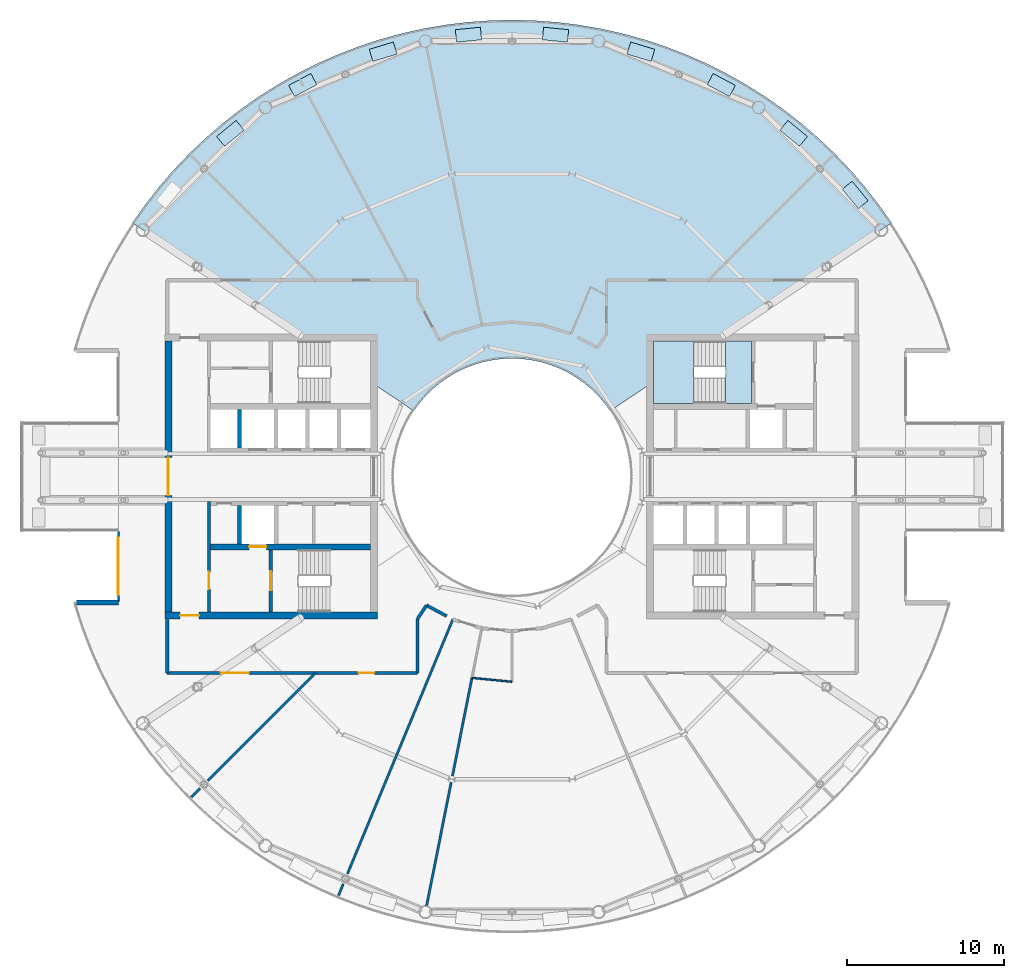
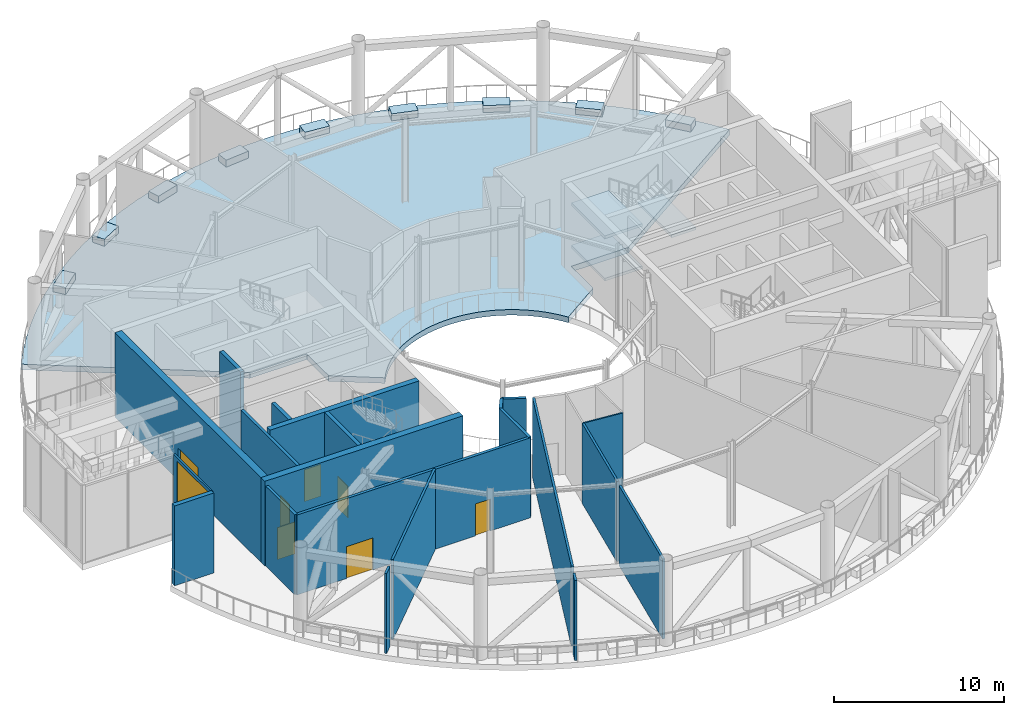
# One storey, part 12 of 24: 21 walls, 13 slabs, 7 doors, 1 window, 8 openings, 1 element without a shape of its own.
"""IFC4 building model written with IfcOpenShell, lengths in metres."""

from ifc_helpers import new_model, si_unit, direction, frame, frame_2d, origin, place, context, subcontext, project, spatial, polyline, rectangle, outline, extrude, material, layer, layer_set, type_object, element, fill, aggregate, save


model = new_model("IFC4")

# Units and contexts
model_context = context("Model", 3, precision=1e-05, world=origin(), true_north=direction((0.0, 1.0)))
body_context = subcontext(model_context, "Body", "Model", "MODEL_VIEW")
ifc_project = project(units=[si_unit("LENGTHUNIT", "METRE"), si_unit("AREAUNIT", "SQUARE_METRE"), si_unit("VOLUMEUNIT", "CUBIC_METRE"), si_unit("PLANEANGLEUNIT", "RADIAN"), si_unit("MASSUNIT", "GRAM", prefix="KILO")], contexts=[model_context])

# Site, building, storey
site_placement = place(None, origin())
site = spatial("IfcSite", under=ifc_project, at=site_placement, CompositionType="ELEMENT")
building_placement = place(site_placement, origin())
building = spatial("IfcBuilding", under=site, at=building_placement, Name="Maasbend Ring Residences", CompositionType="ELEMENT")
storey_placement = place(building_placement, frame((0.0, 0.0, 221.85009765625)))
storey = spatial("IfcBuildingStorey", under=building, at=storey_placement, Name="L64", CompositionType="ELEMENT", Elevation=221.85009765625)

# Stair, slabs
ifc_material_1 = material(Name="Concrete C40/50", Category="concrete")
stair_type = type_object("IfcStairType", Name="CORE STAIR 36 RISERS", PredefinedType="HALF_TURN_STAIR", material=ifc_material_1)
stair_placement = place(storey_placement, origin())
stair = element("IfcStair", 1, at=stair_placement, inside=storey, type_object=stair_type, Name="L64 Exit stair ST-E1", PredefinedType="HALF_TURN_STAIR")
ifc_material_2 = material(Name="Concrete C40/50", Category="concrete")
ifc_layer_1 = layer(ifc_material_2, 0.199951171875)
ifc_layer_set_1 = layer_set([ifc_layer_1], Name="Concrete C40/50")
slab_type_1 = type_object("IfcSlabType", Name="CORE STAIR LANDING 200", PredefinedType="LANDING", material=ifc_layer_set_1)
slab_1_placement = place(storey_placement, frame((0.0, 0.0, 1.324951171875)))
slab_1 = element("IfcSlab", 2, at=slab_1_placement, type_object=slab_type_1, Name="ST-E1 landing 1", PredefinedType="LANDING", context=body_context, shape_type="SweptSolid", body=[
    extrude(outline(polyline([(11.550048828125, 8.60009765625), (9.0, 8.60009765625), (9.0, 4.64990234375), (11.550048828125, 4.64990234375), (11.550048828125, 8.60009765625)])), origin(), (0.0, 0.0, 1.0), 0.199951171875),
])
slab_2_placement = place(storey_placement, frame((0.0, 0.0, 2.849853515625)))
slab_2 = element("IfcSlab", 3, at=slab_2_placement, type_object=slab_type_1, Name="ST-E1 landing 2", PredefinedType="LANDING", context=body_context, shape_type="SweptSolid", body=[
    extrude(outline(polyline([(15.199951171875, 8.60009765625), (13.550048828125, 8.60009765625), (13.550048828125, 4.64990234375), (15.199951171875, 4.64990234375), (15.199951171875, 8.60009765625)])), origin(), (0.0, 0.0, 1.0), 0.199951171875),
])
slab_3_placement = place(storey_placement, frame((0.0, 0.0, 4.375)))
slab_3 = element("IfcSlab", 4, at=slab_3_placement, type_object=slab_type_1, Name="ST-E1 landing 3", PredefinedType="LANDING", context=body_context, shape_type="SweptSolid", body=[
    extrude(outline(polyline([(11.550048828125, 8.60009765625), (9.0, 8.60009765625), (9.0, 4.64990234375), (11.550048828125, 4.64990234375), (11.550048828125, 8.60009765625)])), origin(), (0.0, 0.0, 1.0), 0.199951171875),
])
aggregate(stair, [slab_1, slab_2, slab_3])

# Slabs
ifc_material_3 = material(Name="Lawn and planting")
ifc_layer_2 = layer(ifc_material_3, 0.5)
ifc_layer_set_2 = layer_set([ifc_layer_2], Name="PLANTER-GD")
slab_type_2 = type_object("IfcSlabType", Name="PLANTER-GD", PredefinedType="USERDEFINED", material=ifc_layer_set_2)
slab_4_placement = place(storey_placement, origin())
element("IfcSlab", 5, at=slab_4_placement, inside=storey, type_object=slab_type_2, Name="Garden planter 1", ObjectType="PLANTER", PredefinedType="USERDEFINED", context=body_context, shape_type="SweptSolid", body=[
    extrude(outline(polyline([(22.615966796875, 17.52490234375), (21.60107421875, 18.761962890625), (20.98193359375, 18.2548828125), (21.9970703125, 17.01806640625), (22.615966796875, 17.52490234375)])), origin(), (0.0, 0.0, 1.0), 0.5),
])
slab_5_placement = place(storey_placement, origin())
element("IfcSlab", 6, at=slab_5_placement, inside=storey, type_object=slab_type_2, Name="Garden planter 2", ObjectType="PLANTER", PredefinedType="USERDEFINED", context=body_context, shape_type="SweptSolid", body=[
    extrude(outline(polyline([(18.761962890625, 21.60107421875), (17.52490234375, 22.615966796875), (17.01806640625, 21.9970703125), (18.2548828125, 20.98193359375), (18.761962890625, 21.60107421875)])), origin(), (0.0, 0.0, 1.0), 0.5),
])
slab_6_placement = place(storey_placement, origin())
element("IfcSlab", 7, at=slab_6_placement, inside=storey, type_object=slab_type_2, Name="Garden planter 3", ObjectType="PLANTER", PredefinedType="USERDEFINED", context=body_context, shape_type="SweptSolid", body=[
    extrude(outline(polyline([(14.18701171875, 24.845947265625), (12.77587890625, 25.60009765625), (12.39892578125, 24.89501953125), (13.81005859375, 24.139892578125), (14.18701171875, 24.845947265625)])), origin(), (0.0, 0.0, 1.0), 0.5),
])
slab_7_placement = place(storey_placement, origin())
element("IfcSlab", 8, at=slab_7_placement, inside=storey, type_object=slab_type_2, Name="Garden planter 4", ObjectType="PLANTER", PredefinedType="USERDEFINED", context=body_context, shape_type="SweptSolid", body=[
    extrude(outline(polyline([(9.068115234375, 27.135986328125), (7.537109375, 27.60107421875), (7.303955078125, 26.8349609375), (8.8349609375, 26.37109375), (9.068115234375, 27.135986328125)])), origin(), (0.0, 0.0, 1.0), 0.5),
])
slab_8_placement = place(storey_placement, origin())
element("IfcSlab", 9, at=slab_8_placement, inside=storey, type_object=slab_type_2, Name="Garden planter 5", ObjectType="PLANTER", PredefinedType="USERDEFINED", context=body_context, shape_type="SweptSolid", body=[
    extrude(outline(polyline([(3.59912109375, 28.384033203125), (2.007080078125, 28.541015625), (1.928955078125, 27.7451171875), (3.52099609375, 27.587890625), (3.59912109375, 28.384033203125)])), origin(), (0.0, 0.0, 1.0), 0.5),
])
slab_9_placement = place(storey_placement, origin())
element("IfcSlab", 10, at=slab_9_placement, inside=storey, type_object=slab_type_2, Name="Garden planter 6", ObjectType="PLANTER", PredefinedType="USERDEFINED", context=body_context, shape_type="SweptSolid", body=[
    extrude(outline(polyline([(-2.007080078125, 28.541015625), (-3.59912109375, 28.384033203125), (-3.52099609375, 27.587890625), (-1.928955078125, 27.7451171875), (-2.007080078125, 28.541015625)])), origin(), (0.0, 0.0, 1.0), 0.5),
])
slab_10_placement = place(storey_placement, origin())
element("IfcSlab", 11, at=slab_10_placement, inside=storey, type_object=slab_type_2, Name="Garden planter 7", ObjectType="PLANTER", PredefinedType="USERDEFINED", context=body_context, shape_type="SweptSolid", body=[
    extrude(outline(polyline([(-7.537109375, 27.60107421875), (-9.068115234375, 27.135986328125), (-8.8349609375, 26.37109375), (-7.303955078125, 26.8349609375), (-7.537109375, 27.60107421875)])), origin(), (0.0, 0.0, 1.0), 0.5),
])
slab_11_placement = place(storey_placement, origin())
element("IfcSlab", 12, at=slab_11_placement, inside=storey, type_object=slab_type_2, Name="Garden planter 8", ObjectType="PLANTER", PredefinedType="USERDEFINED", context=body_context, shape_type="SweptSolid", body=[
    extrude(outline(polyline([(-12.77587890625, 25.60009765625), (-14.18701171875, 24.845947265625), (-13.81005859375, 24.139892578125), (-12.39892578125, 24.89501953125), (-12.77587890625, 25.60009765625)])), origin(), (0.0, 0.0, 1.0), 0.5),
])
slab_12_placement = place(storey_placement, origin())
element("IfcSlab", 13, at=slab_12_placement, inside=storey, type_object=slab_type_2, Name="Garden planter 9", ObjectType="PLANTER", PredefinedType="USERDEFINED", context=body_context, shape_type="SweptSolid", body=[
    extrude(outline(polyline([(-17.52490234375, 22.615966796875), (-18.761962890625, 21.60107421875), (-18.2548828125, 20.98193359375), (-17.01806640625, 21.9970703125), (-17.52490234375, 22.615966796875)])), origin(), (0.0, 0.0, 1.0), 0.5),
])
ifc_material_4 = material(Name="Concrete C40/50", Category="concrete")
ifc_layer_3 = layer(ifc_material_4, 0.39990234375)
ifc_layer_set_3 = layer_set([ifc_layer_3], Name="Concrete C40/50")
slab_type_3 = type_object("IfcSlabType", Name="Post-tensioned flat plate 400", PredefinedType="FLOOR", material=ifc_layer_set_3)
slab_13_placement = place(storey_placement, frame((0.0, 0.0, -0.400146484375)))
element("IfcSlab", 14, at=slab_13_placement, inside=storey, type_object=slab_type_3, Name="Floor slab L64 sky garden", PredefinedType="FLOOR", context=body_context, shape_type="SweptSolid", body=[
    extrude(outline(polyline([(-24.112548828125, 16.111572265625), (-12.870849609375, 8.60009765625), (-9.0, 8.60009765625), (-9.0, 6.013671875), (-6.236083984375, 4.166748046875), (-6.024169921875, 4.4677734375), (-5.797607421875, 4.7578125), (-5.55712890625, 5.03662109375), (-5.30322265625, 5.30322265625), (-5.03662109375, 5.55712890625), (-4.7578125, 5.797607421875), (-4.4677734375, 6.024169921875), (-4.166748046875, 6.236083984375), (-3.855712890625, 6.43310546875), (-3.535400390625, 6.614501953125), (-3.206787109375, 6.77978515625), (-2.8701171875, 6.92919921875), (-2.526611328125, 7.0615234375), (-2.177001953125, 7.177001953125), (-1.822509765625, 7.275146484375), (-1.463134765625, 7.35595703125), (-1.1005859375, 7.418701171875), (-0.735107421875, 7.4638671875), (-0.367919921875, 7.490966796875), (0.0, 7.5), (0.367919921875, 7.490966796875), (0.735107421875, 7.4638671875), (1.1005859375, 7.418701171875), (1.463134765625, 7.35595703125), (1.822509765625, 7.275146484375), (2.177001953125, 7.177001953125), (2.526611328125, 7.0615234375), (2.8701171875, 6.92919921875), (3.206787109375, 6.77978515625), (3.535400390625, 6.614501953125), (3.855712890625, 6.43310546875), (4.166748046875, 6.236083984375), (4.4677734375, 6.024169921875), (4.7578125, 5.797607421875), (5.03662109375, 5.55712890625), (5.30322265625, 5.30322265625), (5.55712890625, 5.03662109375), (5.797607421875, 4.7578125), (6.024169921875, 4.4677734375), (6.236083984375, 4.166748046875), (9.0, 6.013671875), (9.0, 8.60009765625), (12.870849609375, 8.60009765625), (24.112548828125, 16.111572265625), (23.29296875, 17.275390625), (22.417236328125, 18.3974609375), (21.487548828125, 19.47509765625), (20.506103515625, 20.506103515625), (19.47509765625, 21.487548828125), (18.3974609375, 22.417236328125), (17.275390625, 23.29296875), (16.111572265625, 24.112548828125), (14.908935546875, 24.8740234375), (13.67041015625, 25.57568359375), (12.399169921875, 26.2158203125), (11.097900390625, 26.79248046875), (9.769775390625, 27.3046875), (8.418212890625, 27.751220703125), (7.04638671875, 28.130859375), (5.65771484375, 28.44287109375), (4.255126953125, 28.68603515625), (2.842529296875, 28.8603515625), (1.423095703125, 28.965087890625), (0.0, 29.0), (-1.423095703125, 28.965087890625), (-2.842529296875, 28.8603515625), (-4.255126953125, 28.68603515625), (-5.65771484375, 28.44287109375), (-7.04638671875, 28.130859375), (-8.418212890625, 27.751220703125), (-9.769775390625, 27.3046875), (-11.097900390625, 26.79248046875), (-12.399169921875, 26.2158203125), (-13.67041015625, 25.57568359375), (-14.908935546875, 24.8740234375), (-16.111572265625, 24.112548828125), (-17.275390625, 23.29296875), (-18.3974609375, 22.417236328125), (-19.47509765625, 21.487548828125), (-20.506103515625, 20.506103515625), (-21.487548828125, 19.47509765625), (-22.417236328125, 18.3974609375), (-23.29296875, 17.275390625), (-24.112548828125, 16.111572265625)])), origin(), (0.0, 0.0, 1.0), 0.400146484375),
])

# Wall, opening, door
ifc_material_5 = material(Name="Concrete C50/60", Category="concrete")
ifc_layer_4 = layer(ifc_material_5, 0.25)
ifc_layer_set_4 = layer_set([ifc_layer_4], Name="Concrete C50/60")
wall_type_1 = type_object("IfcWallType", Name="CORE WALL 250 C50/60", PredefinedType="SHEAR", material=ifc_layer_set_4)
wall_1_placement = place(storey_placement, frame((-15.324951171875, -4.64990234375, 0.0), z_axis=(0.0, 0.0, 1.0), x_axis=(0.0, -1.0, 0.0)))
wall_1 = element("IfcWall", 15, at=wall_1_placement, inside=storey, type_object=wall_type_1, Name="L64 core W wall STEN", PredefinedType="SHEAR", context=body_context, shape_type="SweptSolid", body=[
    extrude(rectangle(XDim=3.9501953125, YDim=0.25, at=frame_2d((1.97509765625, 0.0))), origin(), (0.0, 0.0, 1.0), 6.099853515625),
])
opening_1_placement = place(wall_1_placement, frame((1.375, 0.0, 0.0)))
opening_1 = element("IfcOpeningElement", 16, at=opening_1_placement, cuts=wall_1, Name="Opening D-W6410", PredefinedType="OPENING", context=body_context, shape_type="SweptSolid", body=[
    extrude(rectangle(XDim=1.199951171875, YDim=2.300048828125, at=frame_2d((0.60009765625, 1.14990234375))), frame((0.0, 0.135009765625, 0.0), z_axis=(0.0, -1.0, 0.0), x_axis=(1.0, 0.0, 0.0)), (0.0, 0.0, 1.0), 0.27001953125),
])
ifc_material_6 = material(Name="Steel, powder coated", Category="steel")
door_type_1 = type_object("IfcDoorType", Name="STAIR DOOR 1200 X 2300 FD60", OperationType="NOTDEFINED", PredefinedType="DOOR", material=ifc_material_6)
door_1_placement = place(opening_1_placement, origin())
door_1 = element("IfcDoor", 17, at=door_1_placement, inside=storey, type_object=door_type_1, Name="Stair door ST-W L64", OperationType="SINGLE_SWING_LEFT", OverallHeight=2.300048828125, OverallWidth=1.199951171875, PredefinedType="DOOR", context=body_context, shape_type="SweptSolid", body=[
    extrude(rectangle(XDim=1.199951171875, YDim=2.300048828125, at=frame_2d((0.60009765625, 1.14990234375))), frame((0.0, 0.02490234375, 0.0), z_axis=(0.0, -1.0, 0.0), x_axis=(1.0, 0.0, 0.0)), (0.0, 0.0, 1.0), 0.050048828125),
])
fill(opening_1, door_1)

ifc_material_7 = material(Name="Concrete C50/60", Category="concrete")
ifc_layer_5 = layer(ifc_material_7, 0.375)
ifc_layer_set_5 = layer_set([ifc_layer_5], Name="Concrete C50/60")
wall_type_2 = type_object("IfcWallType", Name="CORE WALL 375 C50/60", PredefinedType="SHEAR", material=ifc_layer_set_5)
wall_2_placement = place(storey_placement, frame((-9.0, -4.46240234375, 0.0), z_axis=(0.0, 0.0, 1.0), x_axis=(-1.0, 0.0, 0.0)))
wall_2 = element("IfcWall", 18, at=wall_2_placement, inside=storey, type_object=wall_type_2, Name="L64 core W wall BN", PredefinedType="SHEAR", context=body_context, shape_type="SweptSolid", body=[
    extrude(rectangle(XDim=10.14990234375, YDim=0.375, at=frame_2d((5.074951171875, 0.0))), origin(), (0.0, 0.0, 1.0), 6.099853515625),
])
opening_2_placement = place(wall_2_placement, frame((6.60009765625, 0.0, 0.0)))
opening_2 = element("IfcOpeningElement", 19, at=opening_2_placement, cuts=wall_2, Name="Opening LD-W6401", PredefinedType="OPENING", context=body_context, shape_type="SweptSolid", body=[
    extrude(rectangle(XDim=1.10009765625, YDim=2.300048828125, at=frame_2d((0.550048828125, 1.14990234375))), frame((0.0, 0.197509765625, 0.0), z_axis=(0.0, -1.0, 0.0), x_axis=(1.0, 0.0, 0.0)), (0.0, 0.0, 1.0), 0.39501953125),
])
ifc_material_8 = material(Name="Stainless steel 316", Category="steel")
door_type_2 = type_object("IfcDoorType", Name="LANDING DOOR 1100 X 2300 FD60", OperationType="DOUBLE_DOOR_SLIDING", PredefinedType="DOOR", material=ifc_material_8)
door_2_placement = place(opening_2_placement, origin())
door_2 = element("IfcDoor", 20, at=door_2_placement, inside=storey, type_object=door_type_2, Name="Landing door FF-W L64", OperationType="DOUBLE_DOOR_SLIDING", OverallHeight=2.300048828125, OverallWidth=1.10009765625, PredefinedType="DOOR", context=body_context, shape_type="SweptSolid", body=[
    extrude(rectangle(XDim=1.10009765625, YDim=2.300048828125, at=frame_2d((0.550048828125, 1.14990234375))), frame((0.0, 0.02490234375, 0.0), z_axis=(0.0, -1.0, 0.0), x_axis=(1.0, 0.0, 0.0)), (0.0, 0.0, 1.0), 0.050048828125),
])
fill(opening_2, door_2)

ifc_material_9 = material(Name="Concrete C50/60", Category="concrete")
ifc_layer_6 = layer(ifc_material_9, 0.449951171875)
ifc_layer_set_6 = layer_set([ifc_layer_6], Name="Concrete C50/60")
wall_type_3 = type_object("IfcWallType", Name="CORE WALL 450 C50/60", PredefinedType="SHEAR", material=ifc_layer_set_6)
wall_3_placement = place(storey_placement, frame((-22.050048828125, -8.824951171875, 0.0), z_axis=(0.0, 0.0, 1.0), x_axis=(1.0, 0.0, 0.0)))
wall_3 = element("IfcWall", 21, at=wall_3_placement, inside=storey, type_object=wall_type_3, Name="L64 core W wall PN", PredefinedType="SHEAR", context=body_context, shape_type="SweptSolid", body=[
    extrude(rectangle(XDim=13.5, YDim=0.449951171875, at=frame_2d((6.75, 0.0))), origin(), (0.0, 0.0, 1.0), 6.099853515625),
])
opening_3_placement = place(wall_3_placement, frame((0.97509765625, 0.0, 0.0)))
opening_3 = element("IfcOpeningElement", 22, at=opening_3_placement, cuts=wall_3, Name="Opening D-W6414", PredefinedType="OPENING", context=body_context, shape_type="SweptSolid", body=[
    extrude(rectangle(XDim=1.199951171875, YDim=2.300048828125, at=frame_2d((0.60009765625, 1.14990234375))), frame((0.0, 0.23486328125, 0.0), z_axis=(0.0, -1.0, 0.0), x_axis=(1.0, 0.0, 0.0)), (0.0, 0.0, 1.0), 0.469970703125),
])
ifc_material_10 = material(Name="Steel, powder coated", Category="steel")
door_type_3 = type_object("IfcDoorType", Name="CORRIDOR DOOR 1200 X 2300 FD30S", OperationType="NOTDEFINED", PredefinedType="DOOR", material=ifc_material_10)
door_3_placement = place(opening_3_placement, origin())
door_3 = element("IfcDoor", 23, at=door_3_placement, inside=storey, type_object=door_type_3, Name="Corridor door L64", OperationType="SINGLE_SWING_RIGHT", OverallHeight=2.300048828125, OverallWidth=1.199951171875, PredefinedType="DOOR", context=body_context, shape_type="SweptSolid", body=[
    extrude(rectangle(XDim=1.199951171875, YDim=2.300048828125, at=frame_2d((0.60009765625, 1.14990234375))), frame((0.0, 0.02490234375, 0.0), z_axis=(0.0, -1.0, 0.0), x_axis=(1.0, 0.0, 0.0)), (0.0, 0.0, 1.0), 0.050048828125),
])
fill(opening_3, door_3)

wall_4_placement = place(storey_placement, frame((-21.824951171875, -8.60009765625, 0.0), z_axis=(0.0, 0.0, 1.0), x_axis=(0.0, 1.0, 0.0)))
wall_4 = element("IfcWall", 24, at=wall_4_placement, inside=storey, type_object=wall_type_3, Name="L64 core W wall POUT", PredefinedType="SHEAR", context=body_context, shape_type="SweptSolid", body=[
    extrude(rectangle(XDim=17.2001953125, YDim=0.449951171875, at=frame_2d((8.60009765625, 0.0))), origin(), (0.0, 0.0, 1.0), 6.099853515625),
])
opening_4_placement = place(wall_4_placement, frame((7.39990234375, 0.0, 0.0)))
opening_4 = element("IfcOpeningElement", 25, at=opening_4_placement, cuts=wall_4, Name="Opening D-W6416", PredefinedType="OPENING", context=body_context, shape_type="SweptSolid", body=[
    extrude(rectangle(XDim=2.39990234375, YDim=2.300048828125, at=frame_2d((1.199951171875, 1.14990234375))), frame((0.0, 0.23486328125, 0.0), z_axis=(0.0, -1.0, 0.0), x_axis=(1.0, 0.0, 0.0)), (0.0, 0.0, 1.0), 0.469970703125),
])
ifc_material_11 = material(Name="Aluminium frame, clear glass", Category="aluminium")
door_type_4 = type_object("IfcDoorType", Name="ENTRANCE DOOR 2400 X 2300 FD60", OperationType="NOTDEFINED", PredefinedType="DOOR", material=ifc_material_11)
door_4_placement = place(opening_4_placement, origin())
door_4 = element("IfcDoor", 26, at=door_4_placement, inside=storey, type_object=door_type_4, Name="Lobby glazed door L64", OperationType="SINGLE_SWING_LEFT", OverallHeight=2.300048828125, OverallWidth=2.39990234375, PredefinedType="DOOR", context=body_context, shape_type="SweptSolid", body=[
    extrude(rectangle(XDim=2.39990234375, YDim=2.300048828125, at=frame_2d((1.199951171875, 1.14990234375))), frame((0.0, 0.02490234375, 0.0), z_axis=(0.0, -1.0, 0.0), x_axis=(1.0, 0.0, 0.0)), (0.0, 0.0, 1.0), 0.050048828125),
])
fill(opening_4, door_4)

# Wall, openings, doors
ifc_material_12 = material(Name="Concrete C30/37", Category="concrete")
ifc_layer_7 = layer(ifc_material_12, 0.199951171875)
ifc_layer_set_7 = layer_set([ifc_layer_7], Name="Concrete C30/37")
wall_type_4 = type_object("IfcWallType", Name="CORRIDOR WALL 200 CONCRETE", PredefinedType="PARTITIONING", material=ifc_layer_set_7)
wall_5_placement = place(storey_placement, frame((-21.89990234375, -12.469970703125, 0.0), z_axis=(0.0, 0.0, 1.0), x_axis=(1.0, 0.0, 0.0)))
wall_5 = element("IfcWall", 27, at=wall_5_placement, inside=storey, type_object=wall_type_4, Name="U-L64-w004", PredefinedType="PARTITIONING", context=body_context, shape_type="SweptSolid", body=[
    extrude(rectangle(XDim=15.89990234375, YDim=0.199951171875, at=frame_2d((7.949951171875, 0.0))), origin(), (0.0, 0.0, 1.0), 5.75),
])
opening_5_placement = place(wall_5_placement, frame((12.1650390625, 0.0, 0.0)))
opening_5 = element("IfcOpeningElement", 28, at=opening_5_placement, cuts=wall_5, Name="Opening D-6405", PredefinedType="OPENING", context=body_context, shape_type="SweptSolid", body=[
    extrude(rectangle(XDim=1.0, YDim=2.300048828125, at=frame_2d((0.5, 1.14990234375))), frame((0.0, 0.10986328125, 0.0), z_axis=(0.0, -1.0, 0.0), x_axis=(1.0, 0.0, 0.0)), (0.0, 0.0, 1.0), 0.219970703125),
])
opening_6_placement = place(wall_5_placement, frame((3.386962890625, 0.0, 0.0)))
opening_6 = element("IfcOpeningElement", 29, at=opening_6_placement, cuts=wall_5, Name="Opening D-6412", PredefinedType="OPENING", context=body_context, shape_type="SweptSolid", body=[
    extrude(rectangle(XDim=1.800048828125, YDim=2.300048828125, at=frame_2d((0.89990234375, 1.14990234375))), frame((0.0, 0.10986328125, 0.0), z_axis=(0.0, -1.0, 0.0), x_axis=(1.0, 0.0, 0.0)), (0.0, 0.0, 1.0), 0.219970703125),
])
ifc_material_13 = material(Name="Timber, painted", Category="wood")
door_type_5 = type_object("IfcDoorType", Name="DOUBLE DOOR 1800 X 2300", OperationType="NOTDEFINED", PredefinedType="DOOR", material=ifc_material_13)
door_5_placement = place(opening_6_placement, origin())
door_5 = element("IfcDoor", 30, at=door_5_placement, inside=storey, type_object=door_type_5, Name="D-6412", OperationType="DOUBLE_DOOR_SINGLE_SWING", OverallHeight=2.300048828125, OverallWidth=1.800048828125, PredefinedType="DOOR", context=body_context, shape_type="SweptSolid", body=[
    extrude(rectangle(XDim=1.800048828125, YDim=2.300048828125, at=frame_2d((0.89990234375, 1.14990234375))), frame((0.0, 0.02490234375, 0.0), z_axis=(0.0, -1.0, 0.0), x_axis=(1.0, 0.0, 0.0)), (0.0, 0.0, 1.0), 0.050048828125),
])
fill(opening_6, door_5)
ifc_material_14 = material(Name="Timber, painted", Category="wood")
door_type_6 = type_object("IfcDoorType", Name="ROOM DOOR 1000 X 2300", OperationType="NOTDEFINED", PredefinedType="DOOR", material=ifc_material_14)
door_6_placement = place(opening_5_placement, origin())
door_6 = element("IfcDoor", 31, at=door_6_placement, inside=storey, type_object=door_type_6, Name="D-6405", OperationType="SINGLE_SWING_RIGHT", OverallHeight=2.300048828125, OverallWidth=1.0, PredefinedType="DOOR", context=body_context, shape_type="SweptSolid", body=[
    extrude(rectangle(XDim=1.0, YDim=2.300048828125, at=frame_2d((0.5, 1.14990234375))), frame((0.0, 0.02490234375, 0.0), z_axis=(0.0, -1.0, 0.0), x_axis=(1.0, 0.0, 0.0)), (0.0, 0.0, 1.0), 0.050048828125),
])
fill(opening_5, door_6)

# Walls
wall_6_placement = place(storey_placement, frame((-5.428955078125, -8.178955078125, 0.0), z_axis=(0.0, 0.0, 1.0), x_axis=(0.881652665802, -0.471898905364, 0.0)))
element("IfcWall", 32, at=wall_6_placement, inside=storey, type_object=wall_type_4, Name="U-L64-w006", PredefinedType="PARTITIONING", context=body_context, shape_type="SweptSolid", body=[
    extrude(rectangle(XDim=1.44970703125, YDim=0.199951171875, at=frame_2d((0.724853515625, 0.0))), origin(), (0.0, 0.0, 1.0), 5.75),
])
wall_7_placement = place(storey_placement, frame((-6.0, -9.033935546875, 0.0), z_axis=(0.0, 0.0, 1.0), x_axis=(0.555412364489, 0.831575075007, 0.0)))
element("IfcWall", 33, at=wall_7_placement, inside=storey, type_object=wall_type_4, Name="U-L64-w014", PredefinedType="PARTITIONING", context=body_context, shape_type="SweptSolid", body=[
    extrude(rectangle(XDim=1.028076171875, YDim=0.199951171875, at=frame_2d((0.51416015625, 0.0))), origin(), (0.0, 0.0, 1.0), 5.75),
])
wall_8_placement = place(storey_placement, frame((-6.0, -12.469970703125, 0.0), z_axis=(0.0, 0.0, 1.0), x_axis=(0.0, 1.0, 0.0)))
element("IfcWall", 34, at=wall_8_placement, inside=storey, type_object=wall_type_4, Name="U-L64-w041", PredefinedType="PARTITIONING", context=body_context, shape_type="SweptSolid", body=[
    extrude(rectangle(XDim=3.43603515625, YDim=0.199951171875, at=frame_2d((1.718017578125, 0.0))), origin(), (0.0, 0.0, 1.0), 5.75),
])
wall_9_placement = place(storey_placement, frame((-21.89990234375, -12.469970703125, 0.0), z_axis=(0.0, 0.0, 1.0), x_axis=(0.0, 1.0, 0.0)))
element("IfcWall", 35, at=wall_9_placement, inside=storey, type_object=wall_type_4, Name="U-L64-w052", PredefinedType="PARTITIONING", context=body_context, shape_type="SweptSolid", body=[
    extrude(rectangle(XDim=3.39990234375, YDim=0.199951171875, at=frame_2d((1.699951171875, 0.0))), origin(), (0.0, 0.0, 1.0), 5.75),
])
ifc_material_15 = material(Name="Aluminium clad insulated panel", Category="aluminium")
ifc_layer_8 = layer(ifc_material_15, 0.300048828125)
ifc_layer_set_8 = layer_set([ifc_layer_8], Name="EW-RET")
wall_type_5 = type_object("IfcWallType", Name="EW-RET", PredefinedType="SOLIDWALL", material=ifc_layer_set_8)
wall_10_placement = place(storey_placement, frame((-25.0, -8.0, 0.0), z_axis=(0.0, 0.0, 1.0), x_axis=(-1.0, 0.0, 0.0)))
element("IfcWall", 36, at=wall_10_placement, inside=storey, type_object=wall_type_5, Name="Notch return wall west south", PredefinedType="SOLIDWALL", context=body_context, shape_type="SweptSolid", body=[
    extrude(rectangle(XDim=2.6669921875, YDim=0.300048828125, at=frame_2d((1.33349609375, 0.0))), origin(), (0.0, 0.0, 1.0), 5.75),
])

# Wall, opening, window
ifc_material_16 = material(Name="Aluminium frame and clear glass", Category="aluminium")
ifc_layer_9 = layer(ifc_material_16, 0.1201171875)
ifc_layer_set_9 = layer_set([ifc_layer_9], Name="GLAZED SCREEN WALL 120 EI 60")
wall_type_6 = type_object("IfcWallType", Name="GLAZED SCREEN WALL 120 EI 60", PredefinedType="PARTITIONING", material=ifc_layer_set_9)
wall_11_placement = place(storey_placement, frame((-25.0, -3.5, 0.0), z_axis=(0.0, 0.0, 1.0), x_axis=(0.0, -1.0, 0.0)))
wall_11 = element("IfcWall", 37, at=wall_11_placement, inside=storey, type_object=wall_type_6, Name="L64 core W wall FACEB", PredefinedType="PARTITIONING", context=body_context, shape_type="SweptSolid", body=[
    extrude(rectangle(XDim=4.449951171875, YDim=0.1201171875, at=frame_2d((2.22509765625, 0.0))), origin(), (0.0, 0.0, 1.0), 5.75),
])
opening_7_placement = place(wall_11_placement, frame((0.39990234375, 0.0, 0.10009765625)))
opening_7 = element("IfcOpeningElement", 38, at=opening_7_placement, cuts=wall_11, Name="Opening W-W6403", PredefinedType="OPENING", context=body_context, shape_type="SweptSolid", body=[
    extrude(rectangle(XDim=3.60009765625, YDim=5.39990234375, at=frame_2d((1.800048828125, 2.699951171875))), frame((0.0, 0.070068359375, 0.0), z_axis=(0.0, -1.0, 0.0), x_axis=(1.0, 0.0, 0.0)), (0.0, 0.0, 1.0), 0.14013671875),
])
ifc_material_17 = material(Name="Aluminium frame and clear glass", Category="aluminium")
window_type = type_object("IfcWindowType", Name="FIXED WINDOW 3600 X 5400", PartitioningType="SINGLE_PANEL", PredefinedType="WINDOW", material=ifc_material_17)
window_placement = place(opening_7_placement, origin())
window = element("IfcWindow", 39, at=window_placement, inside=storey, type_object=window_type, Name="Lobby window L64", OverallHeight=5.39990234375, OverallWidth=3.60009765625, PartitioningType="SINGLE_PANEL", PredefinedType="WINDOW", context=body_context, shape_type="SweptSolid", body=[
    extrude(rectangle(XDim=3.60009765625, YDim=5.39990234375, at=frame_2d((1.800048828125, 2.699951171875))), frame((0.0, 0.030029296875, 0.0), z_axis=(0.0, -1.0, 0.0), x_axis=(1.0, 0.0, 0.0)), (0.0, 0.0, 1.0), 0.06005859375),
])
fill(opening_7, window)

# Walls
ifc_material_18 = material(Name="Gypsum board on steel studs", Category="steel")
ifc_layer_10 = layer(ifc_material_18, 0.10009765625)
ifc_layer_set_10 = layer_set([ifc_layer_10], Name="PARTITION 100 GYPSUM")
wall_type_7 = type_object("IfcWallType", Name="PARTITION 100 GYPSUM", PredefinedType="PARTITIONING", material=ifc_layer_set_10)
wall_12_placement = place(storey_placement, frame((-2.54296875, -12.784912109375, 0.0), z_axis=(0.0, 0.0, 1.0), x_axis=(0.995202292453, -0.09783862783, 0.0)))
element("IfcWall", 40, at=wall_12_placement, inside=storey, type_object=wall_type_7, Name="U-L64-w003", PredefinedType="PARTITIONING", context=body_context, shape_type="SweptSolid", body=[
    extrude(rectangle(XDim=2.55517578125, YDim=0.10009765625, at=frame_2d((1.277587890625, 0.0))), origin(), (0.0, 0.0, 1.0), 5.75),
])
ifc_material_19 = material(Name="Gypsum board on steel studs", Category="steel")
ifc_layer_11 = layer(ifc_material_19, 0.14990234375)
ifc_layer_set_11 = layer_set([ifc_layer_11], Name="PARTITION 150 GYPSUM")
wall_type_8 = type_object("IfcWallType", Name="PARTITION 150 GYPSUM", PredefinedType="PARTITIONING", material=ifc_layer_set_11)
wall_13_placement = place(storey_placement, frame((-20.364990234375, -20.364990234375, 0.0), z_axis=(0.0, 0.0, 1.0), x_axis=(0.707106781187, 0.707106781187, 0.0)))
element("IfcWall", 41, at=wall_13_placement, inside=storey, type_object=wall_type_8, Name="U-L64-w017", PredefinedType="PARTITIONING", context=body_context, shape_type="SweptSolid", body=[
    extrude(rectangle(XDim=0.7919921875, YDim=0.14990234375, at=frame_2d((0.39599609375, 0.0))), origin(), (0.0, 0.0, 1.0), 5.75),
])
wall_14_placement = place(storey_placement, frame((-19.31005859375, -19.31005859375, 0.0), z_axis=(0.0, 0.0, 1.0), x_axis=(0.707106781187, 0.707106781187, 0.0)))
element("IfcWall", 42, at=wall_14_placement, inside=storey, type_object=wall_type_8, Name="U-L64-w019", PredefinedType="PARTITIONING", context=body_context, shape_type="SweptSolid", body=[
    extrude(rectangle(XDim=9.67333984375, YDim=0.14990234375, at=frame_2d((4.836669921875, 0.0))), origin(), (0.0, 0.0, 1.0), 5.75),
])
wall_15_placement = place(storey_placement, frame((-11.02099609375, -26.60791015625, 0.0), z_axis=(0.0, 0.0, 1.0), x_axis=(0.382469748433, 0.923968014345, 0.0)))
element("IfcWall", 43, at=wall_15_placement, inside=storey, type_object=wall_type_8, Name="U-L64-w022", PredefinedType="PARTITIONING", context=body_context, shape_type="SweptSolid", body=[
    extrude(rectangle(XDim=0.792236328125, YDim=0.14990234375, at=frame_2d((0.39599609375, 0.0))), origin(), (0.0, 0.0, 1.0), 5.75),
])
wall_16_placement = place(storey_placement, frame((-10.449951171875, -25.22998046875, 0.0), z_axis=(0.0, 0.0, 1.0), x_axis=(0.382637007118, 0.923898761112, 0.0)))
element("IfcWall", 44, at=wall_16_placement, inside=storey, type_object=wall_type_8, Name="U-L64-w023", PredefinedType="PARTITIONING", context=body_context, shape_type="SweptSolid", body=[
    extrude(rectangle(XDim=17.48876953125, YDim=0.14990234375, at=frame_2d((8.744384765625, 0.0))), origin(), (0.0, 0.0, 1.0), 5.75),
])
wall_17_placement = place(storey_placement, frame((-5.424072265625, -27.26708984375, 0.0), z_axis=(0.0, 0.0, 1.0), x_axis=(0.195106720959, 0.980782018308, 0.0)))
element("IfcWall", 45, at=wall_17_placement, inside=storey, type_object=wall_type_8, Name="U-L64-w024", PredefinedType="PARTITIONING", context=body_context, shape_type="SweptSolid", body=[
    extrude(rectangle(XDim=8.0009765625, YDim=0.14990234375, at=frame_2d((4.00048828125, 0.0))), origin(), (0.0, 0.0, 1.0), 5.75),
])
wall_18_placement = place(storey_placement, frame((-3.784912109375, -19.027099609375, 0.0), z_axis=(0.0, 0.0, 1.0), x_axis=(0.195134918279, 0.980776408601, 0.0)))
element("IfcWall", 46, at=wall_18_placement, inside=storey, type_object=wall_type_8, Name="U-L64-w026", PredefinedType="PARTITIONING", context=body_context, shape_type="SweptSolid", body=[
    extrude(rectangle(XDim=6.364501953125, YDim=0.14990234375, at=frame_2d((3.18212890625, 0.0))), origin(), (0.0, 0.0, 1.0), 5.75),
])

# Wall, opening, door
ifc_material_20 = material(Name="Concrete C30/37", Category="concrete")
ifc_layer_12 = layer(ifc_material_20, 0.199951171875)
ifc_layer_set_12 = layer_set([ifc_layer_12], Name="Concrete C30/37")
wall_type_9 = type_object("IfcWallType", Name="SHAFT WALL 200 EI 120", PredefinedType="SOLIDWALL", material=ifc_layer_set_12)
wall_19_placement = place(storey_placement, frame((-19.25, -1.574951171875, 0.0), z_axis=(0.0, 0.0, 1.0), x_axis=(0.0, -1.0, 0.0)))
wall_19 = element("IfcWall", 47, at=wall_19_placement, inside=storey, type_object=wall_type_9, Name="L64 core W wall ENDN", PredefinedType="SOLIDWALL", context=body_context, shape_type="SweptSolid", body=[
    extrude(rectangle(XDim=7.025146484375, YDim=0.199951171875, at=frame_2d((3.5126953125, 0.0))), origin(), (0.0, 0.0, 1.0), 5.75),
])
opening_8_placement = place(wall_19_placement, frame((4.47509765625, 0.0, 0.0)))
opening_8 = element("IfcOpeningElement", 48, at=opening_8_placement, cuts=wall_19, Name="Opening D-W6412", PredefinedType="OPENING", context=body_context, shape_type="SweptSolid", body=[
    extrude(rectangle(XDim=1.10009765625, YDim=2.300048828125, at=frame_2d((0.550048828125, 1.14990234375))), frame((0.0, 0.10986328125, 0.0), z_axis=(0.0, -1.0, 0.0), x_axis=(1.0, 0.0, 0.0)), (0.0, 0.0, 1.0), 0.219970703125),
])
ifc_material_21 = material(Name="Steel, powder coated", Category="steel")
door_type_7 = type_object("IfcDoorType", Name="LOBBY DOOR 1100 X 2300 FD60", OperationType="NOTDEFINED", PredefinedType="DOOR", material=ifc_material_21)
door_7_placement = place(opening_8_placement, origin())
door_7 = element("IfcDoor", 49, at=door_7_placement, inside=storey, type_object=door_type_7, Name="Lobby door L64", OperationType="SINGLE_SWING_LEFT", OverallHeight=2.300048828125, OverallWidth=1.10009765625, PredefinedType="DOOR", context=body_context, shape_type="SweptSolid", body=[
    extrude(rectangle(XDim=1.10009765625, YDim=2.300048828125, at=frame_2d((0.550048828125, 1.14990234375))), frame((0.0, 0.02490234375, 0.0), z_axis=(0.0, -1.0, 0.0), x_axis=(1.0, 0.0, 0.0)), (0.0, 0.0, 1.0), 0.050048828125),
])
fill(opening_8, door_7)

# Walls
ifc_material_22 = material(Name="Concrete C30/37", Category="concrete")
ifc_layer_13 = layer(ifc_material_22, 0.25)
ifc_layer_set_13 = layer_set([ifc_layer_13], Name="Concrete C30/37")
wall_type_10 = type_object("IfcWallType", Name="SHAFT WALL 250 EI 120", PredefinedType="SOLIDWALL", material=ifc_layer_set_13)
for number, where, z_axis, x_axis, name in (
    (50, (-17.300048828125, -1.824951171875, 0.0), (0.0, 0.0, 1.0), (0.0, -1.0, 0.0), "L64 core W wall D173N"),
    (51, (-17.300048828125, 1.824951171875, 0.0), (0.0, 0.0, 1.0), (0.0, 1.0, 0.0), "L64 core W wall D173S"),
):
    element("IfcWall", number, at=place(storey_placement, frame(where, z_axis=z_axis, x_axis=x_axis)), inside=storey, type_object=wall_type_10, Name=name, PredefinedType="SOLIDWALL", context=body_context, shape_type="SweptSolid", body=[
        extrude(rectangle(XDim=2.449951171875, YDim=0.25, at=frame_2d((1.22509765625, 0.0))), origin(), (0.0, 0.0, 1.0), 5.75),
    ])

save(model, "model.ifc")
